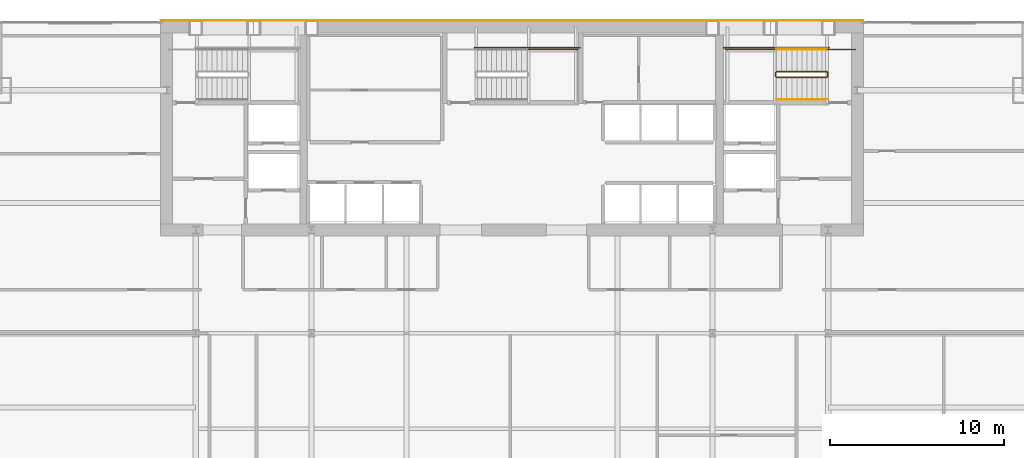
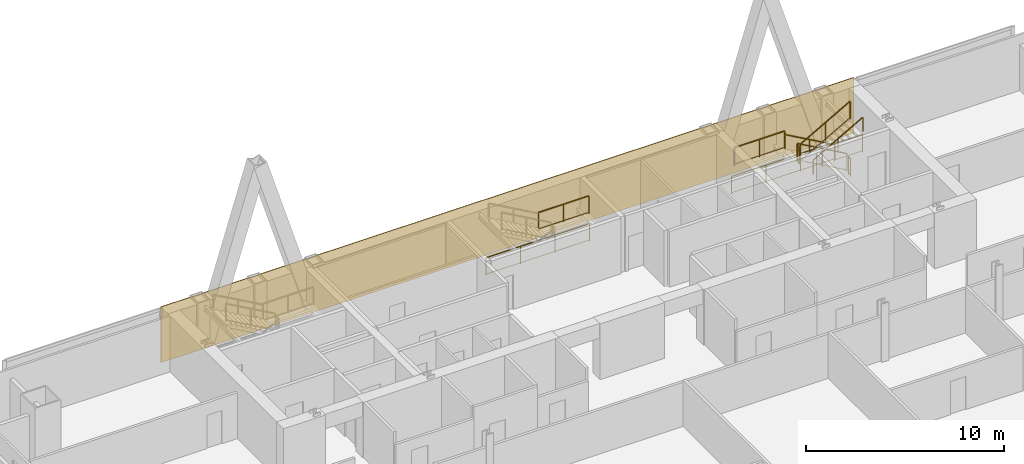
# One storey, part 32 of 33: 11 railings, 1 covering.
"""IFC4 building model written with IfcOpenShell, lengths in metres."""

from ifc_helpers import new_model, si_unit, direction, frame, origin, origin_2d, place, context, subcontext, project, spatial, polyline, rectangle, outline, extrude, material, layer, layer_set, type_object, element, save


model = new_model("IFC4")

# Units and contexts
model_context = context("Model", 3, precision=1e-05, world=origin(), true_north=direction((0.0, 1.0)))
body_context = subcontext(model_context, "Body", "Model", "MODEL_VIEW")
ifc_project = project(units=[si_unit("LENGTHUNIT", "METRE"), si_unit("AREAUNIT", "SQUARE_METRE"), si_unit("VOLUMEUNIT", "CUBIC_METRE"), si_unit("PLANEANGLEUNIT", "RADIAN"), si_unit("MASSUNIT", "GRAM", prefix="KILO")], contexts=[model_context])

# Site, building, storey
site_placement = place(None, origin())
site = spatial("IfcSite", under=ifc_project, at=site_placement, CompositionType="ELEMENT")
building_placement = place(site_placement, origin())
building = spatial("IfcBuilding", under=site, at=building_placement, Name="Khoronbel Lancet Exchange", CompositionType="ELEMENT")
storey_placement = place(building_placement, frame((0.0, 0.0, 118.199951171875)))
storey = spatial("IfcBuildingStorey", under=building, at=storey_placement, Name="L28", CompositionType="ELEMENT", Elevation=118.199951171875)

# Covering
ifc_material_1 = material(Name="Honed Egyptian Limestone & Bronze Rainscreen", Category="masonry")
ifc_layer = layer(ifc_material_1, 0.050048828125, Name="Honed Egyptian Limestone & Bronze Rainscreen")
ifc_layer_set = layer_set([ifc_layer], Name="Honed Egyptian Limestone & Bronze Rainscreen")
covering_type = type_object("IfcCoveringType", Name="COV-CLAD1", PredefinedType="CLADDING", material=ifc_layer_set)
covering_placement = place(storey_placement, origin())
element("IfcCovering", 1, at=covering_placement, inside=storey, type_object=covering_type, Name="Level L28 north rear-core stone and bronze rainscreen cladding", PredefinedType="CLADDING", context=body_context, shape_type="SweptSolid", body=[
    extrude(outline(polyline([(16.199951171875, 53.699951171875), (56.699951171875, 53.699951171875), (56.699951171875, 53.75), (16.199951171875, 53.75), (16.199951171875, 53.699951171875)])), origin(), (0.0, 0.0, 1.0), 3.43994140625),
])

# Railings
ifc_material_2 = material(Name="Painted Steel Balustrade", Category="steel")
railing_type_1 = type_object("IfcRailingType", Name="RL-STG110", PredefinedType="GUARDRAIL", material=ifc_material_2)
railing_1_placement = place(storey_placement, frame((54.60009765625, 50.77001953125, 0.16357421875)))
element("IfcRailing", 2, at=railing_1_placement, inside=storey, type_object=railing_type_1, Name="L28 ST2 stair guard 1", PredefinedType="GUARDRAIL", context=body_context, shape_type="SweptSolid", body=[
    extrude(rectangle(XDim=0.048095703125, YDim=0.048095703125, at=origin_2d()), frame((0.0, 0.0, 1.09619140625), z_axis=(-0.870914908162, 0.0, 0.491433843708), x_axis=(0.0, -1.0, 0.0)), (0.0, 0.0, 1.0), 3.330078125),
    extrude(rectangle(XDim=0.02392578125, YDim=0.02392578125, at=origin_2d()), frame((0.0, 0.0, 0.080078125), z_axis=(-0.870914908162, 0.0, 0.491433843708), x_axis=(0.0, -1.0, 0.0)), (0.0, 0.0, 1.0), 3.330078125),
    extrude(rectangle(XDim=0.0419921875, YDim=0.0419921875, at=origin_2d()), origin(), (0.0, 0.0, 1.0), 1.072021484375),
    extrude(rectangle(XDim=0.0419921875, YDim=0.0419921875, at=origin_2d()), frame((-1.4501953125, 0.0, 0.818359375)), (0.0, 0.0, 1.0), 1.072021484375),
    extrude(rectangle(XDim=0.0419921875, YDim=0.0419921875, at=origin_2d()), frame((-2.900146484375, 0.0, 1.636474609375)), (0.0, 0.0, 1.0), 1.072021484375),
])
railing_2_placement = place(storey_placement, frame((51.64990234375, 50.719970703125, 1.800048828125)))
element("IfcRailing", 3, at=railing_2_placement, inside=storey, type_object=railing_type_1, Name="L28 ST2 stair guard 2", PredefinedType="GUARDRAIL", context=body_context, shape_type="SweptSolid", body=[
    extrude(rectangle(XDim=0.048095703125, YDim=0.048095703125, at=origin_2d()), frame((0.0, 0.0, 1.09619140625), z_axis=(0.0, -1.0, 0.0), x_axis=(1.0, 0.0, 0.0)), (0.0, 0.0, 1.0), 0.219970703125),
    extrude(rectangle(XDim=0.02392578125, YDim=0.02392578125, at=origin_2d()), frame((0.0, 0.0, 0.080078125), z_axis=(0.0, -1.0, 0.0), x_axis=(1.0, 0.0, 0.0)), (0.0, 0.0, 1.0), 0.219970703125),
    extrude(rectangle(XDim=0.0419921875, YDim=0.0419921875, at=origin_2d()), origin(), (0.0, 0.0, 1.0), 1.072021484375),
    extrude(rectangle(XDim=0.0419921875, YDim=0.0419921875, at=origin_2d()), frame((0.0, -0.219970703125, 0.0)), (0.0, 0.0, 1.0), 1.072021484375),
])
railing_3_placement = place(storey_placement, frame((51.699951171875, 52.050048828125, 1.800048828125)))
element("IfcRailing", 4, at=railing_3_placement, inside=storey, type_object=railing_type_1, Name="L28 ST2 stair guard 3", PredefinedType="GUARDRAIL", context=body_context, shape_type="SweptSolid", body=[
    extrude(rectangle(XDim=0.048095703125, YDim=0.048095703125, at=origin_2d()), frame((0.0, 0.0, 1.09619140625), z_axis=(-1.0, 0.0, 0.0), x_axis=(0.0, -1.0, 0.0)), (0.0, 0.0, 1.0), 2.949951171875),
    extrude(rectangle(XDim=0.02392578125, YDim=0.02392578125, at=origin_2d()), frame((0.0, 0.0, 0.080078125), z_axis=(-1.0, 0.0, 0.0), x_axis=(0.0, -1.0, 0.0)), (0.0, 0.0, 1.0), 2.949951171875),
    extrude(rectangle(XDim=0.0419921875, YDim=0.0419921875, at=origin_2d()), origin(), (0.0, 0.0, 1.0), 1.072021484375),
    extrude(rectangle(XDim=0.0419921875, YDim=0.0419921875, at=origin_2d()), frame((-1.47509765625, 0.0, 0.0)), (0.0, 0.0, 1.0), 1.072021484375),
    extrude(rectangle(XDim=0.0419921875, YDim=0.0419921875, at=origin_2d()), frame((-2.949951171875, 0.0, 0.0)), (0.0, 0.0, 1.0), 1.072021484375),
])
railing_4_placement = place(storey_placement, frame((51.699951171875, 50.449951171875, 1.963623046875)))
element("IfcRailing", 5, at=railing_4_placement, inside=storey, type_object=railing_type_1, Name="L28 ST2 stair guard 4", PredefinedType="GUARDRAIL", context=body_context, shape_type="SweptSolid", body=[
    extrude(rectangle(XDim=0.048095703125, YDim=0.048095703125, at=origin_2d()), frame((0.0, 0.0, 1.09619140625), z_axis=(0.870914908162, 0.0, 0.491433843708), x_axis=(0.0, 1.0, 0.0)), (0.0, 0.0, 1.0), 3.330078125),
    extrude(rectangle(XDim=0.02392578125, YDim=0.02392578125, at=origin_2d()), frame((0.0, 0.0, 0.080078125), z_axis=(0.870914908162, 0.0, 0.491433843708), x_axis=(0.0, 1.0, 0.0)), (0.0, 0.0, 1.0), 3.330078125),
    extrude(rectangle(XDim=0.0419921875, YDim=0.0419921875, at=origin_2d()), origin(), (0.0, 0.0, 1.0), 1.072021484375),
    extrude(rectangle(XDim=0.0419921875, YDim=0.0419921875, at=origin_2d()), frame((1.4501953125, 0.0, 0.818359375)), (0.0, 0.0, 1.0), 1.072021484375),
    extrude(rectangle(XDim=0.0419921875, YDim=0.0419921875, at=origin_2d()), frame((2.900146484375, 0.0, 1.636474609375)), (0.0, 0.0, 1.0), 1.072021484375),
])
railing_5_placement = place(storey_placement, frame((54.64990234375, 50.719970703125, 0.0)))
element("IfcRailing", 6, at=railing_5_placement, inside=storey, type_object=railing_type_1, Name="L28 ST2 stair guard 5", PredefinedType="GUARDRAIL", context=body_context, shape_type="SweptSolid", body=[
    extrude(rectangle(XDim=0.048095703125, YDim=0.048095703125, at=origin_2d()), frame((0.0, 0.0, 1.09619140625), z_axis=(0.0, -1.0, 0.0), x_axis=(1.0, 0.0, 0.0)), (0.0, 0.0, 1.0), 0.219970703125),
    extrude(rectangle(XDim=0.02392578125, YDim=0.02392578125, at=origin_2d()), frame((0.0, 0.0, 0.080078125), z_axis=(0.0, -1.0, 0.0), x_axis=(1.0, 0.0, 0.0)), (0.0, 0.0, 1.0), 0.219970703125),
    extrude(rectangle(XDim=0.0419921875, YDim=0.0419921875, at=origin_2d()), origin(), (0.0, 0.0, 1.0), 1.072021484375),
    extrude(rectangle(XDim=0.0419921875, YDim=0.0419921875, at=origin_2d()), frame((0.0, -0.219970703125, 0.0)), (0.0, 0.0, 1.0), 1.072021484375),
])
railing_6_placement = place(storey_placement, frame((56.25, 52.050048828125, 0.0)))
element("IfcRailing", 7, at=railing_6_placement, inside=storey, type_object=railing_type_1, Name="L28 ST2 stair guard 6", PredefinedType="GUARDRAIL", context=body_context, shape_type="SweptSolid", body=[
    extrude(rectangle(XDim=0.048095703125, YDim=0.048095703125, at=origin_2d()), frame((0.0, 0.0, 1.09619140625), z_axis=(-1.0, 0.0, 0.0), x_axis=(0.0, -1.0, 0.0)), (0.0, 0.0, 1.0), 1.64990234375),
    extrude(rectangle(XDim=0.02392578125, YDim=0.02392578125, at=origin_2d()), frame((0.0, 0.0, 0.080078125), z_axis=(-1.0, 0.0, 0.0), x_axis=(0.0, -1.0, 0.0)), (0.0, 0.0, 1.0), 1.64990234375),
    extrude(rectangle(XDim=0.0419921875, YDim=0.0419921875, at=origin_2d()), origin(), (0.0, 0.0, 1.0), 1.072021484375),
    extrude(rectangle(XDim=0.0419921875, YDim=0.0419921875, at=origin_2d()), frame((-1.64990234375, 0.0, 0.0)), (0.0, 0.0, 1.0), 1.072021484375),
])
railing_7_placement = place(storey_placement, frame((54.699951171875, 52.14990234375, 0.0)))
element("IfcRailing", 8, at=railing_7_placement, inside=storey, type_object=railing_type_1, Name="L28 ST2 stair guard 7", PredefinedType="GUARDRAIL", context=body_context, shape_type="SweptSolid", body=[
    extrude(rectangle(XDim=0.048095703125, YDim=0.048095703125, at=origin_2d()), frame((0.0, 0.0, 1.09619140625), z_axis=(-1.0, 0.0, 0.0), x_axis=(0.0, -1.0, 0.0)), (0.0, 0.0, 1.0), 6.050048828125),
    extrude(rectangle(XDim=0.02392578125, YDim=0.02392578125, at=origin_2d()), frame((0.0, 0.0, 0.080078125), z_axis=(-1.0, 0.0, 0.0), x_axis=(0.0, -1.0, 0.0)), (0.0, 0.0, 1.0), 6.050048828125),
    extrude(rectangle(XDim=0.0419921875, YDim=0.0419921875, at=origin_2d()), origin(), (0.0, 0.0, 1.0), 1.072021484375),
    extrude(rectangle(XDim=0.0419921875, YDim=0.0419921875, at=origin_2d()), frame((-2.0166015625, 0.0, 0.0)), (0.0, 0.0, 1.0), 1.072021484375),
    extrude(rectangle(XDim=0.0419921875, YDim=0.0419921875, at=origin_2d()), frame((-4.033447265625, 0.0, 0.0)), (0.0, 0.0, 1.0), 1.072021484375),
    extrude(rectangle(XDim=0.0419921875, YDim=0.0419921875, at=origin_2d()), frame((-6.050048828125, 0.0, 0.0)), (0.0, 0.0, 1.0), 1.072021484375),
])
railing_8_placement = place(storey_placement, frame((37.300048828125, 52.050048828125, 1.800048828125)))
element("IfcRailing", 9, at=railing_8_placement, inside=storey, type_object=railing_type_1, Name="L28 ST3 stair guard 3", PredefinedType="GUARDRAIL", context=body_context, shape_type="SweptSolid", body=[
    extrude(rectangle(XDim=0.048095703125, YDim=0.048095703125, at=origin_2d()), frame((0.0, 0.0, 1.09619140625), z_axis=(1.0, 0.0, 0.0), x_axis=(0.0, 1.0, 0.0)), (0.0, 0.0, 1.0), 2.949951171875),
    extrude(rectangle(XDim=0.02392578125, YDim=0.02392578125, at=origin_2d()), frame((0.0, 0.0, 0.080078125), z_axis=(1.0, 0.0, 0.0), x_axis=(0.0, 1.0, 0.0)), (0.0, 0.0, 1.0), 2.949951171875),
    extrude(rectangle(XDim=0.0419921875, YDim=0.0419921875, at=origin_2d()), origin(), (0.0, 0.0, 1.0), 1.072021484375),
    extrude(rectangle(XDim=0.0419921875, YDim=0.0419921875, at=origin_2d()), frame((1.47509765625, 0.0, 0.0)), (0.0, 0.0, 1.0), 1.072021484375),
    extrude(rectangle(XDim=0.0419921875, YDim=0.0419921875, at=origin_2d()), frame((2.949951171875, 0.0, 0.0)), (0.0, 0.0, 1.0), 1.072021484375),
])
railing_9_placement = place(storey_placement, frame((34.300048828125, 52.14990234375, 0.0)))
element("IfcRailing", 10, at=railing_9_placement, inside=storey, type_object=railing_type_1, Name="L28 ST3 stair guard 7", PredefinedType="GUARDRAIL", context=body_context, shape_type="SweptSolid", body=[
    extrude(rectangle(XDim=0.048095703125, YDim=0.048095703125, at=origin_2d()), frame((0.0, 0.0, 1.09619140625), z_axis=(1.0, 0.0, 0.0), x_axis=(0.0, 1.0, 0.0)), (0.0, 0.0, 1.0), 6.050048828125),
    extrude(rectangle(XDim=0.02392578125, YDim=0.02392578125, at=origin_2d()), frame((0.0, 0.0, 0.080078125), z_axis=(1.0, 0.0, 0.0), x_axis=(0.0, 1.0, 0.0)), (0.0, 0.0, 1.0), 6.050048828125),
    extrude(rectangle(XDim=0.0419921875, YDim=0.0419921875, at=origin_2d()), origin(), (0.0, 0.0, 1.0), 1.072021484375),
    extrude(rectangle(XDim=0.0419921875, YDim=0.0419921875, at=origin_2d()), frame((2.0166015625, 0.0, 0.0)), (0.0, 0.0, 1.0), 1.072021484375),
    extrude(rectangle(XDim=0.0419921875, YDim=0.0419921875, at=origin_2d()), frame((4.033447265625, 0.0, 0.0)), (0.0, 0.0, 1.0), 1.072021484375),
    extrude(rectangle(XDim=0.0419921875, YDim=0.0419921875, at=origin_2d()), frame((6.050048828125, 0.0, 0.0)), (0.0, 0.0, 1.0), 1.072021484375),
])
ifc_material_3 = material(Name="Brushed Stainless Steel 316", Category="steel")
railing_type_2 = type_object("IfcRailingType", Name="RL-STH92", PredefinedType="HANDRAIL", material=ifc_material_3)
railing_10_placement = place(storey_placement, frame((54.60009765625, 52.050048828125, 0.16357421875)))
element("IfcRailing", 11, at=railing_10_placement, inside=storey, type_object=railing_type_2, Name="L28 ST2 stair handrail 1", PredefinedType="HANDRAIL", context=body_context, shape_type="SweptSolid", body=[
    extrude(rectangle(XDim=0.048095703125, YDim=0.048095703125, at=origin_2d()), frame((0.0, 0.0, 0.8759765625), z_axis=(-0.870914908162, 0.0, 0.491433843708), x_axis=(0.0, -1.0, 0.0)), (0.0, 0.0, 1.0), 3.330078125),
    extrude(rectangle(XDim=0.0419921875, YDim=0.0419921875, at=origin_2d()), origin(), (0.0, 0.0, 1.0), 0.851806640625),
    extrude(rectangle(XDim=0.0419921875, YDim=0.0419921875, at=origin_2d()), frame((-1.4501953125, 0.0, 0.818359375)), (0.0, 0.0, 1.0), 0.851806640625),
    extrude(rectangle(XDim=0.0419921875, YDim=0.0419921875, at=origin_2d()), frame((-2.900146484375, 0.0, 1.636474609375)), (0.0, 0.0, 1.0), 0.851806640625),
])
railing_11_placement = place(storey_placement, frame((51.699951171875, 49.169921875, 1.963623046875)))
element("IfcRailing", 12, at=railing_11_placement, inside=storey, type_object=railing_type_2, Name="L28 ST2 stair handrail 2", PredefinedType="HANDRAIL", context=body_context, shape_type="SweptSolid", body=[
    extrude(rectangle(XDim=0.048095703125, YDim=0.048095703125, at=origin_2d()), frame((0.0, 0.0, 0.8759765625), z_axis=(0.870914908162, 0.0, 0.491433843708), x_axis=(0.0, 1.0, 0.0)), (0.0, 0.0, 1.0), 3.330078125),
    extrude(rectangle(XDim=0.0419921875, YDim=0.0419921875, at=origin_2d()), origin(), (0.0, 0.0, 1.0), 0.851806640625),
    extrude(rectangle(XDim=0.0419921875, YDim=0.0419921875, at=origin_2d()), frame((1.4501953125, 0.0, 0.818359375)), (0.0, 0.0, 1.0), 0.851806640625),
    extrude(rectangle(XDim=0.0419921875, YDim=0.0419921875, at=origin_2d()), frame((2.900146484375, 0.0, 1.636474609375)), (0.0, 0.0, 1.0), 0.851806640625),
])

save(model, "model.ifc")
